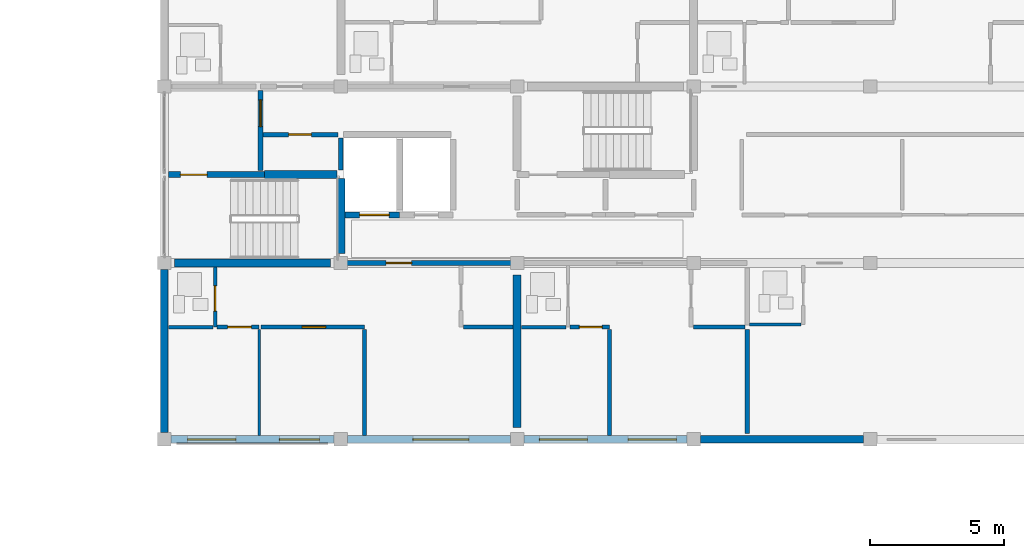
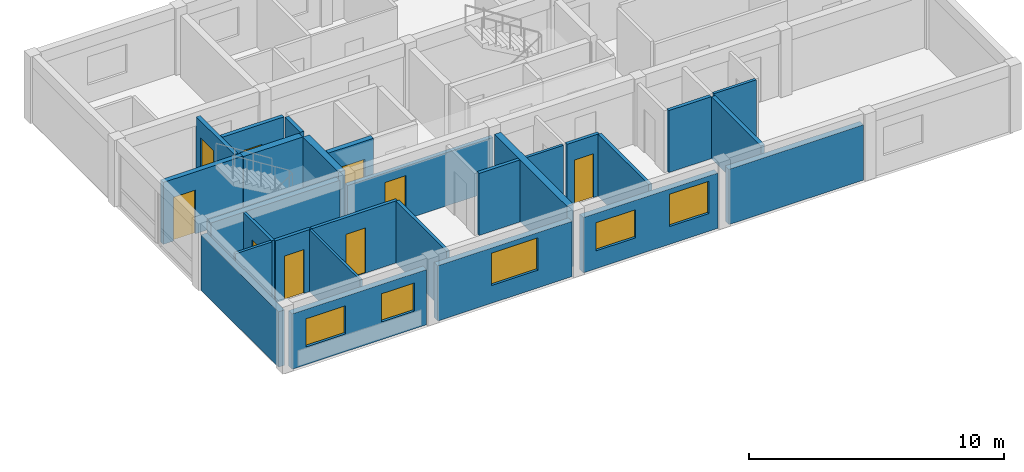
# One storey, part 34 of 46: 28 walls, 9 doors, 5 windows, 14 openings.
"""IFC4 building model written with IfcOpenShell, lengths in metres."""

from ifc_helpers import new_model, si_unit, direction, frame, frame_2d, origin, place, context, subcontext, project, spatial, rectangle, extrude, material, layer, layer_set, type_object, element, fill, save


model = new_model("IFC4")

# Units and contexts
model_context = context("Model", 3, precision=1e-05, world=origin(), true_north=direction((0.0, 1.0)))
body_context = subcontext(model_context, "Body", "Model", "MODEL_VIEW")
ifc_project = project(units=[si_unit("LENGTHUNIT", "METRE"), si_unit("AREAUNIT", "SQUARE_METRE"), si_unit("VOLUMEUNIT", "CUBIC_METRE"), si_unit("PLANEANGLEUNIT", "RADIAN"), si_unit("MASSUNIT", "GRAM", prefix="KILO")], contexts=[model_context])

# Site, building, storey
site_placement = place(None, origin())
site = spatial("IfcSite", under=ifc_project, at=site_placement, CompositionType="ELEMENT")
building_placement = place(site_placement, origin())
building = spatial("IfcBuilding", under=site, at=building_placement, Name="Kernevlak Ridge Housing Community", CompositionType="ELEMENT")
storey_placement = place(building_placement, frame((0.0, 0.0, 27.60009765625)))
storey = spatial("IfcBuildingStorey", under=building, at=storey_placement, Name="L08", CompositionType="ELEMENT", Elevation=27.60009765625)

# Wall, openings, windows
ifc_material_1 = material(Name="Concrete block masonry M10", Category="masonry")
ifc_layer_1 = layer(ifc_material_1, 0.280029296875, Name="Concrete block masonry M10")
ifc_layer_set_1 = layer_set([ifc_layer_1], Name="Concrete block masonry M10")
wall_type_1 = type_object("IfcWallType", Name="EW-03", PredefinedType="STANDARD", material=ifc_layer_set_1)
wall_1_placement = place(storey_placement, frame((119.64990234375, 82.60009765625, 0.0), z_axis=(0.0, 0.0, 1.0), x_axis=(1.0, 0.0, 0.0)))
wall_1 = element("IfcWall", 1, at=wall_1_placement, inside=storey, type_object=wall_type_1, Name="Exterior wall EW-03 L08 419", PredefinedType="STANDARD", context=body_context, shape_type="SweptSolid", body=[
    extrude(rectangle(XDim=6.10009765625, YDim=0.280029296875, at=frame_2d((3.050048828125, 0.0))), origin(), (0.0, 0.0, 1.0), 2.64990234375),
])
opening_1_placement = place(wall_1_placement, frame((0.625, 0.0, 0.85009765625)))
opening_1 = element("IfcOpeningElement", 2, at=opening_1_placement, cuts=wall_1, Name="Opening WT-03", PredefinedType="OPENING", context=body_context, shape_type="SweptSolid", body=[
    extrude(rectangle(XDim=1.800048828125, YDim=1.35009765625, at=frame_2d((0.89990234375, 0.675048828125))), frame((0.0, 0.14990234375, 0.0), z_axis=(0.0, -1.0, 0.0), x_axis=(1.0, 0.0, 0.0)), (0.0, 0.0, 1.0), 0.300048828125),
])
opening_2_placement = place(wall_1_placement, frame((4.050048828125, 0.0, 0.85009765625)))
opening_2 = element("IfcOpeningElement", 3, at=opening_2_placement, cuts=wall_1, Name="Opening WT-02", PredefinedType="OPENING", context=body_context, shape_type="SweptSolid", body=[
    extrude(rectangle(XDim=1.5, YDim=1.35009765625, at=frame_2d((0.75, 0.675048828125))), frame((0.0, 0.14990234375, 0.0), z_axis=(0.0, -1.0, 0.0), x_axis=(1.0, 0.0, 0.0)), (0.0, 0.0, 1.0), 0.300048828125),
])
ifc_material_2 = material(Name="Aluminium EN AW-6060 anodised and laminated glass", Category="aluminium")
window_type_1 = type_object("IfcWindowType", Name="WT-02", PartitioningType="SINGLE_PANEL", PredefinedType="WINDOW", material=ifc_material_2)
window_1_placement = place(opening_2_placement, origin())
window_1 = element("IfcWindow", 4, at=window_1_placement, inside=storey, type_object=window_type_1, Name="Window WT-02 L08 323", OverallHeight=1.35009765625, OverallWidth=1.5, PartitioningType="SINGLE_PANEL", PredefinedType="WINDOW", context=body_context, shape_type="SweptSolid", body=[
    extrude(rectangle(XDim=1.5, YDim=1.35009765625, at=frame_2d((0.75, 0.675048828125))), frame((0.0, 0.030029296875, 0.0), z_axis=(0.0, -1.0, 0.0), x_axis=(1.0, 0.0, 0.0)), (0.0, 0.0, 1.0), 0.06005859375),
])
fill(opening_2, window_1)
window_type_2 = type_object("IfcWindowType", Name="WT-03", PartitioningType="SINGLE_PANEL", PredefinedType="WINDOW", material=ifc_material_2)
window_2_placement = place(opening_1_placement, origin())
window_2 = element("IfcWindow", 5, at=window_2_placement, inside=storey, type_object=window_type_2, Name="Window WT-03 L08 322", OverallHeight=1.35009765625, OverallWidth=1.800048828125, PartitioningType="SINGLE_PANEL", PredefinedType="WINDOW", context=body_context, shape_type="SweptSolid", body=[
    extrude(rectangle(XDim=1.800048828125, YDim=1.35009765625, at=frame_2d((0.89990234375, 0.675048828125))), frame((0.0, 0.030029296875, 0.0), z_axis=(0.0, -1.0, 0.0), x_axis=(1.0, 0.0, 0.0)), (0.0, 0.0, 1.0), 0.06005859375),
])
fill(opening_1, window_2)

# Wall, opening, window
wall_2_placement = place(storey_placement, frame((126.25, 82.60009765625, 0.0), z_axis=(0.0, 0.0, 1.0), x_axis=(1.0, 0.0, 0.0)))
wall_2 = element("IfcWall", 6, at=wall_2_placement, inside=storey, type_object=wall_type_1, Name="Exterior wall EW-03 L08 420", PredefinedType="STANDARD", context=body_context, shape_type="SweptSolid", body=[
    extrude(rectangle(XDim=6.10009765625, YDim=0.280029296875, at=frame_2d((3.050048828125, 0.0))), origin(), (0.0, 0.0, 1.0), 2.64990234375),
])
opening_3_placement = place(wall_2_placement, frame((2.446044921875, 0.0, 0.85009765625)))
opening_3 = element("IfcOpeningElement", 7, at=opening_3_placement, cuts=wall_2, Name="Opening WT-05", PredefinedType="OPENING", context=body_context, shape_type="SweptSolid", body=[
    extrude(rectangle(XDim=2.10009765625, YDim=1.550048828125, at=frame_2d((1.050048828125, 0.77490234375))), frame((0.0, 0.14990234375, 0.0), z_axis=(0.0, -1.0, 0.0), x_axis=(1.0, 0.0, 0.0)), (0.0, 0.0, 1.0), 0.300048828125),
])
window_type_3 = type_object("IfcWindowType", Name="WT-05", PartitioningType="SINGLE_PANEL", PredefinedType="WINDOW", material=ifc_material_2)
window_3_placement = place(opening_3_placement, origin())
window_3 = element("IfcWindow", 8, at=window_3_placement, inside=storey, type_object=window_type_3, Name="Window WT-05 L08 324", OverallHeight=1.550048828125, OverallWidth=2.10009765625, PartitioningType="SINGLE_PANEL", PredefinedType="WINDOW", context=body_context, shape_type="SweptSolid", body=[
    extrude(rectangle(XDim=2.10009765625, YDim=1.550048828125, at=frame_2d((1.050048828125, 0.77490234375))), frame((0.0, 0.030029296875, 0.0), z_axis=(0.0, -1.0, 0.0), x_axis=(1.0, 0.0, 0.0)), (0.0, 0.0, 1.0), 0.06005859375),
])
fill(opening_3, window_3)

# Wall, openings, windows
wall_3_placement = place(storey_placement, frame((132.85009765625, 82.60009765625, 0.0), z_axis=(0.0, 0.0, 1.0), x_axis=(1.0, 0.0, 0.0)))
wall_3 = element("IfcWall", 9, at=wall_3_placement, inside=storey, type_object=wall_type_1, Name="Exterior wall EW-03 L08 421", PredefinedType="STANDARD", context=body_context, shape_type="SweptSolid", body=[
    extrude(rectangle(XDim=6.099853515625, YDim=0.280029296875, at=frame_2d((3.0498046875, 0.0))), origin(), (0.0, 0.0, 1.0), 2.64990234375),
])
opening_4_placement = place(wall_3_placement, frame((0.574951171875, 0.0, 0.85009765625)))
opening_4 = element("IfcOpeningElement", 10, at=opening_4_placement, cuts=wall_3, Name="Opening WT-03", PredefinedType="OPENING", context=body_context, shape_type="SweptSolid", body=[
    extrude(rectangle(XDim=1.800048828125, YDim=1.35009765625, at=frame_2d((0.89990234375, 0.675048828125))), frame((0.0, 0.14990234375, 0.0), z_axis=(0.0, -1.0, 0.0), x_axis=(1.0, 0.0, 0.0)), (0.0, 0.0, 1.0), 0.300048828125),
])
opening_5_placement = place(wall_3_placement, frame((3.89990234375, 0.0, 0.85009765625)))
opening_5 = element("IfcOpeningElement", 11, at=opening_5_placement, cuts=wall_3, Name="Opening WT-04", PredefinedType="OPENING", context=body_context, shape_type="SweptSolid", body=[
    extrude(rectangle(XDim=1.800048828125, YDim=1.550048828125, at=frame_2d((0.89990234375, 0.77490234375))), frame((0.0, 0.14990234375, 0.0), z_axis=(0.0, -1.0, 0.0), x_axis=(1.0, 0.0, 0.0)), (0.0, 0.0, 1.0), 0.300048828125),
])
window_4_placement = place(opening_4_placement, origin())
window_4 = element("IfcWindow", 12, at=window_4_placement, inside=storey, type_object=window_type_2, Name="Window WT-03 L08 325", OverallHeight=1.35009765625, OverallWidth=1.800048828125, PartitioningType="SINGLE_PANEL", PredefinedType="WINDOW", context=body_context, shape_type="SweptSolid", body=[
    extrude(rectangle(XDim=1.800048828125, YDim=1.35009765625, at=frame_2d((0.89990234375, 0.675048828125))), frame((0.0, 0.030029296875, 0.0), z_axis=(0.0, -1.0, 0.0), x_axis=(1.0, 0.0, 0.0)), (0.0, 0.0, 1.0), 0.06005859375),
])
fill(opening_4, window_4)
window_type_4 = type_object("IfcWindowType", Name="WT-04", PartitioningType="SINGLE_PANEL", PredefinedType="WINDOW", material=ifc_material_2)
window_5_placement = place(opening_5_placement, origin())
window_5 = element("IfcWindow", 13, at=window_5_placement, inside=storey, type_object=window_type_4, Name="Window WT-04 L08 326", OverallHeight=1.550048828125, OverallWidth=1.800048828125, PartitioningType="SINGLE_PANEL", PredefinedType="WINDOW", context=body_context, shape_type="SweptSolid", body=[
    extrude(rectangle(XDim=1.800048828125, YDim=1.550048828125, at=frame_2d((0.89990234375, 0.77490234375))), frame((0.0, 0.030029296875, 0.0), z_axis=(0.0, -1.0, 0.0), x_axis=(1.0, 0.0, 0.0)), (0.0, 0.0, 1.0), 0.06005859375),
])
fill(opening_5, window_5)

# Walls
wall_4_placement = place(storey_placement, frame((139.449951171875, 82.60009765625, 0.0), z_axis=(0.0, 0.0, 1.0), x_axis=(1.0, 0.0, 0.0)))
element("IfcWall", 14, at=wall_4_placement, inside=storey, type_object=wall_type_1, Name="Exterior wall EW-03 L08 422", PredefinedType="STANDARD", context=body_context, shape_type="SweptSolid", body=[
    extrude(rectangle(XDim=6.10009765625, YDim=0.280029296875, at=frame_2d((3.050048828125, 0.0))), origin(), (0.0, 0.0, 1.0), 2.64990234375),
])
wall_5_placement = place(storey_placement, frame((119.39990234375, 82.85009765625, 0.0), z_axis=(0.0, 0.0, 1.0), x_axis=(0.0, 1.0, 0.0)))
element("IfcWall", 15, at=wall_5_placement, inside=storey, type_object=wall_type_1, Name="Exterior wall EW-03 L08 431", PredefinedType="STANDARD", context=body_context, shape_type="SweptSolid", body=[
    extrude(rectangle(XDim=6.099853515625, YDim=0.280029296875, at=frame_2d((3.0498046875, 0.0))), origin(), (0.0, 0.0, 1.0), 2.64990234375),
])

# Wall, opening, door
ifc_material_3 = material(Name="Concrete C35/45", Category="concrete")
ifc_layer_2 = layer(ifc_material_3, 0.22509765625, Name="Concrete C35/45")
ifc_layer_set_2 = layer_set([ifc_layer_2], Name="Concrete C35/45")
wall_type_2 = type_object("IfcWallType", Name="PW-01", PredefinedType="STANDARD", material=ifc_layer_set_2)
wall_6_placement = place(storey_placement, frame((119.550048828125, 92.5, 0.0), z_axis=(0.0, 0.0, 1.0), x_axis=(1.0, 0.0, 0.0)))
wall_6 = element("IfcWall", 16, at=wall_6_placement, inside=storey, type_object=wall_type_2, Name="Interior wall PW-01 WAL-INT-L08-1639", PredefinedType="STANDARD", context=body_context, shape_type="SweptSolid", body=[
    extrude(rectangle(XDim=3.599853515625, YDim=0.22509765625, at=frame_2d((1.7998046875, 0.0))), origin(), (0.0, 0.0, 1.0), 2.969970703125),
])
opening_6_placement = place(wall_6_placement, frame((0.449951171875, 0.0, 0.0)))
opening_6 = element("IfcOpeningElement", 17, at=opening_6_placement, cuts=wall_6, Name="Opening D831", PredefinedType="OPENING", context=body_context, shape_type="SweptSolid", body=[
    extrude(rectangle(XDim=1.0, YDim=2.10009765625, at=frame_2d((0.5, 1.050048828125))), frame((0.0, 0.12255859375, 0.0), z_axis=(0.0, -1.0, 0.0), x_axis=(1.0, 0.0, 0.0)), (0.0, 0.0, 1.0), 0.2451171875),
])
ifc_material_4 = material(Name="Fire-rated sheet steel leaf", Category="steel")
door_type_1 = type_object("IfcDoorType", Name="DT-05", OperationType="NOTDEFINED", PredefinedType="DOOR", material=ifc_material_4)
door_1_placement = place(opening_6_placement, origin())
door_1 = element("IfcDoor", 18, at=door_1_placement, inside=storey, type_object=door_type_1, Name="Block B Stair 1 fire door D831", OperationType="SINGLE_SWING_LEFT", OverallHeight=2.10009765625, OverallWidth=1.0, PredefinedType="DOOR", context=body_context, shape_type="SweptSolid", body=[
    extrude(rectangle(XDim=1.0, YDim=2.10009765625, at=frame_2d((0.5, 1.050048828125))), frame((0.0, 0.02490234375, 0.0), z_axis=(0.0, -1.0, 0.0), x_axis=(1.0, 0.0, 0.0)), (0.0, 0.0, 1.0), 0.050048828125),
])
fill(opening_6, door_1)

wall_7_placement = place(storey_placement, frame((126.159912109375, 91.0, 0.0), z_axis=(0.0, 0.0, 1.0), x_axis=(1.0, 0.0, 0.0)))
wall_7 = element("IfcWall", 19, at=wall_7_placement, inside=storey, type_object=wall_type_2, Name="Interior wall PW-01 WAL-INT-L08-1643", PredefinedType="STANDARD", context=body_context, shape_type="SweptSolid", body=[
    extrude(rectangle(XDim=2.0400390625, YDim=0.22509765625, at=frame_2d((1.02001953125, 0.0))), origin(), (0.0, 0.0, 1.0), 2.969970703125),
])
opening_7_placement = place(wall_7_placement, frame((0.550048828125, 0.0, 0.0)))
opening_7 = element("IfcOpeningElement", 20, at=opening_7_placement, cuts=wall_7, Name="Opening LD46", PredefinedType="OPENING", context=body_context, shape_type="SweptSolid", body=[
    extrude(rectangle(XDim=1.10009765625, YDim=2.10009765625, at=frame_2d((0.550048828125, 1.050048828125))), frame((0.0, 0.12255859375, 0.0), z_axis=(0.0, -1.0, 0.0), x_axis=(1.0, 0.0, 0.0)), (0.0, 0.0, 1.0), 0.2451171875),
])
ifc_material_5 = material(Name="Stainless steel EN 1.4401", Category="steel")
door_type_2 = type_object("IfcDoorType", Name="DT-LD1", OperationType="DOUBLE_DOOR_SLIDING", PredefinedType="DOOR", material=ifc_material_5)
door_2_placement = place(opening_7_placement, origin())
door_2 = element("IfcDoor", 21, at=door_2_placement, inside=storey, type_object=door_type_2, Name="Lift LF-B1 landing door LD46", OperationType="DOUBLE_DOOR_SLIDING", OverallHeight=2.10009765625, OverallWidth=1.10009765625, PredefinedType="DOOR", context=body_context, shape_type="SweptSolid", body=[
    extrude(rectangle(XDim=1.10009765625, YDim=2.10009765625, at=frame_2d((0.550048828125, 1.050048828125))), frame((0.0, 0.02490234375, 0.0), z_axis=(0.0, -1.0, 0.0), x_axis=(1.0, 0.0, 0.0)), (0.0, 0.0, 1.0), 0.050048828125),
])
fill(opening_7, door_2)

ifc_layer_3 = layer(ifc_material_1, 0.175048828125, Name="Concrete block masonry M10")
ifc_layer_set_3 = layer_set([ifc_layer_3], Name="Concrete block masonry M10")
wall_type_3 = type_object("IfcWallType", Name="PW-02", PredefinedType="PARTITIONING", material=ifc_layer_set_3)
wall_8_placement = place(storey_placement, frame((123.0, 92.64990234375, 0.0), z_axis=(0.0, 0.0, 1.0), x_axis=(0.0, 1.0, 0.0)))
wall_8 = element("IfcWall", 22, at=wall_8_placement, inside=storey, type_object=wall_type_3, Name="Interior wall PW-02 WAL-INT-L08-1640", PredefinedType="PARTITIONING", context=body_context, shape_type="SweptSolid", body=[
    extrude(rectangle(XDim=3.0, YDim=0.175048828125, at=frame_2d((1.5, 0.0))), origin(), (0.0, 0.0, 1.0), 2.969970703125),
])
opening_8_placement = place(wall_8_placement, frame((1.64990234375, 0.0, 0.0)))
opening_8 = element("IfcOpeningElement", 23, at=opening_8_placement, cuts=wall_8, Name="Opening D832", PredefinedType="OPENING", context=body_context, shape_type="SweptSolid", body=[
    extrude(rectangle(XDim=1.0, YDim=2.159912109375, at=frame_2d((0.5, 1.080078125))), frame((0.0, 0.097412109375, 0.0), z_axis=(0.0, -1.0, 0.0), x_axis=(1.0, 0.0, 0.0)), (0.0, 0.0, 1.0), 0.195068359375),
])
door_type_3 = type_object("IfcDoorType", Name="DT-15", OperationType="NOTDEFINED", PredefinedType="DOOR", material=ifc_material_4)
door_3_placement = place(opening_8_placement, origin())
door_3 = element("IfcDoor", 24, at=door_3_placement, inside=storey, type_object=door_type_3, Name="Block B Firefighting lobby 1 door D832", OperationType="SINGLE_SWING_RIGHT", OverallHeight=2.159912109375, OverallWidth=1.0, PredefinedType="DOOR", context=body_context, shape_type="SweptSolid", body=[
    extrude(rectangle(XDim=1.0, YDim=2.159912109375, at=frame_2d((0.5, 1.080078125))), frame((0.0, 0.02490234375, 0.0), z_axis=(0.0, -1.0, 0.0), x_axis=(1.0, 0.0, 0.0)), (0.0, 0.0, 1.0), 0.050048828125),
])
fill(opening_8, door_3)

wall_9_placement = place(storey_placement, frame((123.10009765625, 94.0, 0.0), z_axis=(0.0, 0.0, 1.0), x_axis=(1.0, 0.0, 0.0)))
wall_9 = element("IfcWall", 25, at=wall_9_placement, inside=storey, type_object=wall_type_3, Name="Interior wall PW-02 WAL-INT-L08-1641", PredefinedType="PARTITIONING", context=body_context, shape_type="SweptSolid", body=[
    extrude(rectangle(XDim=2.7998046875, YDim=0.175048828125, at=frame_2d((1.39990234375, 0.0))), origin(), (0.0, 0.0, 1.0), 2.969970703125),
])
opening_9_placement = place(wall_9_placement, frame((0.949951171875, 0.0, 0.0)))
opening_9 = element("IfcOpeningElement", 26, at=opening_9_placement, cuts=wall_9, Name="Opening D833", PredefinedType="OPENING", context=body_context, shape_type="SweptSolid", body=[
    extrude(rectangle(XDim=0.85009765625, YDim=2.0, at=frame_2d((0.425048828125, 1.0))), frame((0.0, 0.097412109375, 0.0), z_axis=(0.0, -1.0, 0.0), x_axis=(1.0, 0.0, 0.0)), (0.0, 0.0, 1.0), 0.195068359375),
])
door_type_4 = type_object("IfcDoorType", Name="DT-07", OperationType="NOTDEFINED", PredefinedType="DOOR", material=ifc_material_4)
door_4_placement = place(opening_9_placement, origin())
door_4 = element("IfcDoor", 27, at=door_4_placement, inside=storey, type_object=door_type_4, Name="Block B Riser shaft door D833", OperationType="SINGLE_SWING_LEFT", OverallHeight=2.0, OverallWidth=0.85009765625, PredefinedType="DOOR", context=body_context, shape_type="SweptSolid", body=[
    extrude(rectangle(XDim=0.85009765625, YDim=2.0, at=frame_2d((0.425048828125, 1.0))), frame((0.0, 0.02490234375, 0.0), z_axis=(0.0, -1.0, 0.0), x_axis=(1.0, 0.0, 0.0)), (0.0, 0.0, 1.0), 0.050048828125),
])
fill(opening_9, door_4)

# Wall
wall_10_placement = place(storey_placement, frame((126.0, 92.679931640625, 0.0), z_axis=(0.0, 0.0, 1.0), x_axis=(0.0, 1.0, 0.0)))
element("IfcWall", 28, at=wall_10_placement, inside=storey, type_object=wall_type_3, Name="Interior wall PW-02 WAL-INT-L08-1642", PredefinedType="PARTITIONING", context=body_context, shape_type="SweptSolid", body=[
    extrude(rectangle(XDim=1.190185546875, YDim=0.175048828125, at=frame_2d((0.59521484375, 0.0))), origin(), (0.0, 0.0, 1.0), 2.969970703125),
])

# Wall, opening, door
wall_11_placement = place(storey_placement, frame((126.0, 89.199951171875, 0.0), z_axis=(0.0, 0.0, 1.0), x_axis=(1.0, 0.0, 0.0)))
wall_11 = element("IfcWall", 29, at=wall_11_placement, inside=storey, type_object=wall_type_3, Name="Interior wall PW-02 WAL-INT-L08-1660", PredefinedType="PARTITIONING", context=body_context, shape_type="SweptSolid", body=[
    extrude(rectangle(XDim=6.60009765625, YDim=0.175048828125, at=frame_2d((3.300048828125, 0.0))), origin(), (0.0, 0.0, 1.0), 2.5498046875),
])
opening_10_placement = place(wall_11_placement, frame((1.699951171875, 0.0, 0.0)))
opening_10 = element("IfcOpeningElement", 30, at=opening_10_placement, cuts=wall_11, Name="Opening D839", PredefinedType="OPENING", context=body_context, shape_type="SweptSolid", body=[
    extrude(rectangle(XDim=0.949951171875, YDim=2.10009765625, at=frame_2d((0.47509765625, 1.050048828125))), frame((0.0, 0.097412109375, 0.0), z_axis=(0.0, -1.0, 0.0), x_axis=(1.0, 0.0, 0.0)), (0.0, 0.0, 1.0), 0.195068359375),
])
ifc_material_6 = material(Name="Hardwood timber solid-core fire leaf", Category="wood")
door_type_5 = type_object("IfcDoorType", Name="DT-01", OperationType="NOTDEFINED", PredefinedType="DOOR", material=ifc_material_6)
door_5_placement = place(opening_10_placement, origin())
door_5 = element("IfcDoor", 31, at=door_5_placement, inside=storey, type_object=door_type_5, Name="Flat B0811 entrance fire door D839", OperationType="SINGLE_SWING_LEFT", OverallHeight=2.10009765625, OverallWidth=0.949951171875, PredefinedType="DOOR", context=body_context, shape_type="SweptSolid", body=[
    extrude(rectangle(XDim=0.949951171875, YDim=2.10009765625, at=frame_2d((0.47509765625, 1.050048828125))), frame((0.0, 0.02490234375, 0.0), z_axis=(0.0, -1.0, 0.0), x_axis=(1.0, 0.0, 0.0)), (0.0, 0.0, 1.0), 0.050048828125),
])
fill(opening_10, door_5)

# Wall
wall_12_placement = place(storey_placement, frame((141.199951171875, 86.71240234375, 0.0), z_axis=(0.0, 0.0, 1.0), x_axis=(0.0, -1.0, 0.0)))
element("IfcWall", 32, at=wall_12_placement, inside=storey, type_object=wall_type_3, Name="Interior wall PW-02 WAL-INT-L08-1676-S2", PredefinedType="PARTITIONING", context=body_context, shape_type="SweptSolid", body=[
    extrude(rectangle(XDim=3.88232421875, YDim=0.175048828125, at=frame_2d((1.941162109375, 0.0))), origin(), (0.0, 0.0, 1.0), 2.969970703125),
])

# Wall, opening, door
ifc_layer_4 = layer(ifc_material_1, 0.14501953125, Name="Concrete block masonry M10")
ifc_layer_set_4 = layer_set([ifc_layer_4], Name="Concrete block masonry M10")
wall_type_4 = type_object("IfcWallType", Name="PW-03", PredefinedType="PARTITIONING", material=ifc_layer_set_4)
wall_13_placement = place(storey_placement, frame((121.37255859375, 86.800048828125, 0.0), z_axis=(0.0, 0.0, 1.0), x_axis=(1.0, 0.0, 0.0)))
wall_13 = element("IfcWall", 33, at=wall_13_placement, inside=storey, type_object=wall_type_4, Name="Interior wall PW-03 WAL-INT-L08-1665", PredefinedType="PARTITIONING", context=body_context, shape_type="SweptSolid", body=[
    extrude(rectangle(XDim=1.577392578125, YDim=0.14501953125, at=frame_2d((0.78857421875, 0.0))), origin(), (0.0, 0.0, 1.0), 2.969970703125),
])
opening_11_placement = place(wall_13_placement, frame((0.39990234375, 0.0, 0.0)))
opening_11 = element("IfcOpeningElement", 34, at=opening_11_placement, cuts=wall_13, Name="Opening D842", PredefinedType="OPENING", context=body_context, shape_type="SweptSolid", body=[
    extrude(rectangle(XDim=0.8798828125, YDim=2.10009765625, at=frame_2d((0.43994140625, 1.050048828125))), frame((0.0, 0.08251953125, 0.0), z_axis=(0.0, -1.0, 0.0), x_axis=(1.0, 0.0, 0.0)), (0.0, 0.0, 1.0), 0.1650390625),
])
ifc_material_7 = material(Name="Hardwood timber leaf", Category="wood")
door_type_6 = type_object("IfcDoorType", Name="DT-25", OperationType="NOTDEFINED", PredefinedType="DOOR", material=ifc_material_7)
door_6_placement = place(opening_11_placement, origin())
door_6 = element("IfcDoor", 35, at=door_6_placement, inside=storey, type_object=door_type_6, Name="Flat B0811 bedroom door D842", OperationType="SINGLE_SWING_RIGHT", OverallHeight=2.10009765625, OverallWidth=0.8798828125, PredefinedType="DOOR", context=body_context, shape_type="SweptSolid", body=[
    extrude(rectangle(XDim=0.8798828125, YDim=2.10009765625, at=frame_2d((0.43994140625, 1.050048828125))), frame((0.0, 0.02490234375, 0.0), z_axis=(0.0, -1.0, 0.0), x_axis=(1.0, 0.0, 0.0)), (0.0, 0.0, 1.0), 0.050048828125),
])
fill(opening_11, door_6)

wall_14_placement = place(storey_placement, frame((123.012451171875, 86.800048828125, 0.0), z_axis=(0.0, 0.0, 1.0), x_axis=(1.0, 0.0, 0.0)))
wall_14 = element("IfcWall", 36, at=wall_14_placement, inside=storey, type_object=wall_type_4, Name="Interior wall PW-03 WAL-INT-L08-1667", PredefinedType="PARTITIONING", context=body_context, shape_type="SweptSolid", body=[
    extrude(rectangle(XDim=3.879638671875, YDim=0.14501953125, at=frame_2d((1.93994140625, 0.0))), origin(), (0.0, 0.0, 1.0), 2.969970703125),
])
opening_12_placement = place(wall_14_placement, frame((1.5458984375, 0.0, 0.0)))
opening_12 = element("IfcOpeningElement", 37, at=opening_12_placement, cuts=wall_14, Name="Opening D843", PredefinedType="OPENING", context=body_context, shape_type="SweptSolid", body=[
    extrude(rectangle(XDim=0.8798828125, YDim=2.159912109375, at=frame_2d((0.43994140625, 1.080078125))), frame((0.0, 0.08251953125, 0.0), z_axis=(0.0, -1.0, 0.0), x_axis=(1.0, 0.0, 0.0)), (0.0, 0.0, 1.0), 0.1650390625),
])
door_type_7 = type_object("IfcDoorType", Name="DT-26", OperationType="NOTDEFINED", PredefinedType="DOOR", material=ifc_material_7)
door_7_placement = place(opening_12_placement, origin())
door_7 = element("IfcDoor", 38, at=door_7_placement, inside=storey, type_object=door_type_7, Name="Flat B0811 bedroom door D843", OperationType="SINGLE_SWING_LEFT", OverallHeight=2.159912109375, OverallWidth=0.8798828125, PredefinedType="DOOR", context=body_context, shape_type="SweptSolid", body=[
    extrude(rectangle(XDim=0.8798828125, YDim=2.159912109375, at=frame_2d((0.43994140625, 1.080078125))), frame((0.0, 0.02490234375, 0.0), z_axis=(0.0, -1.0, 0.0), x_axis=(1.0, 0.0, 0.0)), (0.0, 0.0, 1.0), 0.050048828125),
])
fill(opening_12, door_7)

# Wall
wall_15_placement = place(storey_placement, frame((126.89208984375, 86.717529296875, 0.0), z_axis=(0.0, 0.0, 1.0), x_axis=(0.0, -1.0, 0.0)))
element("IfcWall", 39, at=wall_15_placement, inside=storey, type_object=wall_type_4, Name="Interior wall PW-03 WAL-INT-L08-1668", PredefinedType="PARTITIONING", context=body_context, shape_type="SweptSolid", body=[
    extrude(rectangle(XDim=3.967529296875, YDim=0.14501953125, at=frame_2d((1.98388671875, 0.0))), origin(), (0.0, 0.0, 1.0), 2.969970703125),
])

# Wall, opening, door
wall_16_placement = place(storey_placement, frame((134.572509765625, 86.800048828125, 0.0), z_axis=(0.0, 0.0, 1.0), x_axis=(1.0, 0.0, 0.0)))
wall_16 = element("IfcWall", 40, at=wall_16_placement, inside=storey, type_object=wall_type_4, Name="Interior wall PW-03 WAL-INT-L08-1674", PredefinedType="PARTITIONING", context=body_context, shape_type="SweptSolid", body=[
    extrude(rectangle(XDim=1.4775390625, YDim=0.14501953125, at=frame_2d((0.73876953125, 0.0))), origin(), (0.0, 0.0, 1.0), 2.969970703125),
])
opening_13_placement = place(wall_16_placement, frame((0.35009765625, 0.0, 0.0)))
opening_13 = element("IfcOpeningElement", 41, at=opening_13_placement, cuts=wall_16, Name="Opening D847", PredefinedType="OPENING", context=body_context, shape_type="SweptSolid", body=[
    extrude(rectangle(XDim=0.85009765625, YDim=2.10009765625, at=frame_2d((0.425048828125, 1.050048828125))), frame((0.0, 0.08251953125, 0.0), z_axis=(0.0, -1.0, 0.0), x_axis=(1.0, 0.0, 0.0)), (0.0, 0.0, 1.0), 0.1650390625),
])
door_type_8 = type_object("IfcDoorType", Name="DT-03", OperationType="NOTDEFINED", PredefinedType="DOOR", material=ifc_material_7)
door_8_placement = place(opening_13_placement, origin())
door_8 = element("IfcDoor", 42, at=door_8_placement, inside=storey, type_object=door_type_8, Name="Flat B0812 bedroom door D847", OperationType="SINGLE_SWING_LEFT", OverallHeight=2.10009765625, OverallWidth=0.85009765625, PredefinedType="DOOR", context=body_context, shape_type="SweptSolid", body=[
    extrude(rectangle(XDim=0.85009765625, YDim=2.10009765625, at=frame_2d((0.425048828125, 1.050048828125))), frame((0.0, 0.02490234375, 0.0), z_axis=(0.0, -1.0, 0.0), x_axis=(1.0, 0.0, 0.0)), (0.0, 0.0, 1.0), 0.050048828125),
])
fill(opening_13, door_8)

# Wall
wall_17_placement = place(storey_placement, frame((136.050048828125, 86.717529296875, 0.0), z_axis=(0.0, 0.0, 1.0), x_axis=(0.0, -1.0, 0.0)))
element("IfcWall", 43, at=wall_17_placement, inside=storey, type_object=wall_type_4, Name="Interior wall PW-03 WAL-INT-L08-1675", PredefinedType="PARTITIONING", context=body_context, shape_type="SweptSolid", body=[
    extrude(rectangle(XDim=3.967529296875, YDim=0.14501953125, at=frame_2d((1.98388671875, 0.0))), origin(), (0.0, 0.0, 1.0), 2.969970703125),
])

# Wall, opening, door
ifc_material_8 = material(Name="Gypsum plasterboard EN 520", Category="gypsum")
ifc_layer_5 = layer(ifc_material_8, 0.125, Name="Gypsum plasterboard EN 520")
ifc_layer_set_5 = layer_set([ifc_layer_5], Name="Gypsum plasterboard EN 520")
wall_type_5 = type_object("IfcWallType", Name="PW-04", PredefinedType="PARTITIONING", material=ifc_layer_set_5)
wall_18_placement = place(storey_placement, frame((121.300048828125, 89.0400390625, 0.0), z_axis=(0.0, 0.0, 1.0), x_axis=(0.0, -1.0, 0.0)))
wall_18 = element("IfcWall", 44, at=wall_18_placement, inside=storey, type_object=wall_type_5, Name="Interior wall PW-04 WAL-INT-L08-1661", PredefinedType="PARTITIONING", context=body_context, shape_type="SweptSolid", body=[
    extrude(rectangle(XDim=2.239990234375, YDim=0.125, at=frame_2d((1.1201171875, 0.0))), origin(), (0.0, 0.0, 1.0), 2.969970703125),
])
opening_14_placement = place(wall_18_placement, frame((0.699951171875, 0.0, 0.0)))
opening_14 = element("IfcOpeningElement", 45, at=opening_14_placement, cuts=wall_18, Name="Opening D840", PredefinedType="OPENING", context=body_context, shape_type="SweptSolid", body=[
    extrude(rectangle(XDim=0.93994140625, YDim=2.080078125, at=frame_2d((0.469970703125, 1.0400390625))), frame((0.0, 0.072509765625, 0.0), z_axis=(0.0, -1.0, 0.0), x_axis=(1.0, 0.0, 0.0)), (0.0, 0.0, 1.0), 0.14501953125),
])
ifc_material_9 = material(Name="Hardwood timber moisture-resistant leaf", Category="wood")
door_type_9 = type_object("IfcDoorType", Name="DT-23", OperationType="NOTDEFINED", PredefinedType="DOOR", material=ifc_material_9)
door_9_placement = place(opening_14_placement, origin())
door_9 = element("IfcDoor", 46, at=door_9_placement, inside=storey, type_object=door_type_9, Name="Flat B0811 bathroom door D840", OperationType="SINGLE_SWING_RIGHT", OverallHeight=2.080078125, OverallWidth=0.93994140625, PredefinedType="DOOR", context=body_context, shape_type="SweptSolid", body=[
    extrude(rectangle(XDim=0.93994140625, YDim=2.080078125, at=frame_2d((0.469970703125, 1.0400390625))), frame((0.0, 0.02490234375, 0.0), z_axis=(0.0, -1.0, 0.0), x_axis=(1.0, 0.0, 0.0)), (0.0, 0.0, 1.0), 0.050048828125),
])
fill(opening_14, door_9)

# Walls
wall_19_placement = place(storey_placement, frame((119.550048828125, 86.800048828125, 0.0), z_axis=(0.0, 0.0, 1.0), x_axis=(1.0, 0.0, 0.0)))
element("IfcWall", 47, at=wall_19_placement, inside=storey, type_object=wall_type_5, Name="Interior wall PW-04 WAL-INT-L08-1662", PredefinedType="PARTITIONING", context=body_context, shape_type="SweptSolid", body=[
    extrude(rectangle(XDim=1.669921875, YDim=0.125, at=frame_2d((0.8349609375, 0.0))), origin(), (0.0, 0.0, 1.0), 2.969970703125),
])
wall_20_placement = place(storey_placement, frame((132.760009765625, 86.800048828125, 0.0), z_axis=(0.0, 0.0, 1.0), x_axis=(1.0, 0.0, 0.0)))
element("IfcWall", 48, at=wall_20_placement, inside=storey, type_object=wall_type_5, Name="Interior wall PW-04 WAL-INT-L08-1671", PredefinedType="PARTITIONING", context=body_context, shape_type="SweptSolid", body=[
    extrude(rectangle(XDim=1.659912109375, YDim=0.125, at=frame_2d((0.830078125, 0.0))), origin(), (0.0, 0.0, 1.0), 2.969970703125),
])
wall_21_placement = place(storey_placement, frame((141.297607421875, 86.89990234375, 0.0), z_axis=(0.0, 0.0, 1.0), x_axis=(1.0, 0.0, 0.0)))
element("IfcWall", 49, at=wall_21_placement, inside=storey, type_object=wall_type_5, Name="Interior wall PW-04 WAL-INT-L08-1679", PredefinedType="PARTITIONING", context=body_context, shape_type="SweptSolid", body=[
    extrude(rectangle(XDim=1.92236328125, YDim=0.125, at=frame_2d((0.961181640625, 0.0))), origin(), (0.0, 0.0, 1.0), 2.969970703125),
])
ifc_layer_6 = layer(ifc_material_8, 0.155029296875, Name="Gypsum plasterboard EN 520")
ifc_layer_set_6 = layer_set([ifc_layer_6], Name="Gypsum plasterboard EN 520")
wall_type_6 = type_object("IfcWallType", Name="PW-05", PredefinedType="PARTITIONING", material=ifc_layer_set_6)
wall_22_placement = place(storey_placement, frame((130.58740234375, 86.800048828125, 0.0), z_axis=(0.0, 0.0, 1.0), x_axis=(1.0, 0.0, 0.0)))
element("IfcWall", 50, at=wall_22_placement, inside=storey, type_object=wall_type_6, Name="Interior wall PW-05 WAL-INT-L08-1664", PredefinedType="PARTITIONING", context=body_context, shape_type="SweptSolid", body=[
    extrude(rectangle(XDim=1.8525390625, YDim=0.155029296875, at=frame_2d((0.92626953125, 0.0))), origin(), (0.0, 0.0, 1.0), 2.969970703125),
])
wall_23_placement = place(storey_placement, frame((139.1875, 86.800048828125, 0.0), z_axis=(0.0, 0.0, 1.0), x_axis=(1.0, 0.0, 0.0)))
element("IfcWall", 51, at=wall_23_placement, inside=storey, type_object=wall_type_6, Name="Interior wall PW-05 WAL-INT-L08-1673", PredefinedType="PARTITIONING", context=body_context, shape_type="SweptSolid", body=[
    extrude(rectangle(XDim=1.9326171875, YDim=0.155029296875, at=frame_2d((0.96630859375, 0.0))), origin(), (0.0, 0.0, 1.0), 2.969970703125),
])
ifc_layer_7 = layer(ifc_material_8, 0.10498046875, Name="Gypsum plasterboard EN 520")
ifc_layer_set_7 = layer_set([ifc_layer_7], Name="Gypsum plasterboard EN 520")
wall_type_7 = type_object("IfcWallType", Name="PW-06", PredefinedType="PARTITIONING", material=ifc_layer_set_7)
wall_24_placement = place(storey_placement, frame((122.949951171875, 86.717529296875, 0.0), z_axis=(0.0, 0.0, 1.0), x_axis=(0.0, -1.0, 0.0)))
element("IfcWall", 52, at=wall_24_placement, inside=storey, type_object=wall_type_7, Name="Interior wall PW-06 WAL-INT-L08-1666", PredefinedType="PARTITIONING", context=body_context, shape_type="SweptSolid", body=[
    extrude(rectangle(XDim=3.967529296875, YDim=0.10498046875, at=frame_2d((1.98388671875, 0.0))), origin(), (0.0, 0.0, 1.0), 2.969970703125),
])
ifc_material_10 = material(Name="Concrete C40/50", Category="concrete")
ifc_layer_8 = layer(ifc_material_10, 0.300048828125, Name="Concrete C40/50")
ifc_layer_set_8 = layer_set([ifc_layer_8], Name="Concrete C40/50")
wall_type_8 = type_object("IfcWallType", Name="SW-02", PredefinedType="SHEAR", material=ifc_layer_set_8)
wall_25_placement = place(storey_placement, frame((119.780029296875, 89.199951171875, 0.0), z_axis=(0.0, 0.0, 1.0), x_axis=(1.0, 0.0, 0.0)))
element("IfcWall", 53, at=wall_25_placement, inside=storey, type_object=wall_type_8, Name="Shear wall SW-02 Block B L08 291", PredefinedType="SHEAR", context=body_context, shape_type="SweptSolid", body=[
    extrude(rectangle(XDim=5.840087890625, YDim=0.300048828125, at=frame_2d((2.919921875, 0.0))), origin(), (0.0, 0.0, 1.0), 2.969970703125),
])
wall_26_placement = place(storey_placement, frame((123.14990234375, 92.5, 0.0), z_axis=(0.0, 0.0, 1.0), x_axis=(1.0, 0.0, 0.0)))
element("IfcWall", 54, at=wall_26_placement, inside=storey, type_object=wall_type_8, Name="Shear wall SW-02 Block B L08 292", PredefinedType="SHEAR", context=body_context, shape_type="SweptSolid", body=[
    extrude(rectangle(XDim=2.7001953125, YDim=0.300048828125, at=frame_2d((1.35009765625, 0.0))), origin(), (0.0, 0.0, 1.0), 2.969970703125),
])
wall_27_placement = place(storey_placement, frame((126.0, 89.550048828125, 0.0), z_axis=(0.0, 0.0, 1.0), x_axis=(0.0, 1.0, 0.0)))
element("IfcWall", 55, at=wall_27_placement, inside=storey, type_object=wall_type_8, Name="Shear wall SW-02 Block B L08 293", PredefinedType="SHEAR", context=body_context, shape_type="SweptSolid", body=[
    extrude(rectangle(XDim=2.800048828125, YDim=0.300048828125, at=frame_2d((1.39990234375, 0.0))), origin(), (0.0, 0.0, 1.0), 2.969970703125),
])
wall_28_placement = place(storey_placement, frame((132.60009765625, 83.050048828125, 0.0), z_axis=(0.0, 0.0, 1.0), x_axis=(0.0, 1.0, 0.0)))
element("IfcWall", 56, at=wall_28_placement, inside=storey, type_object=wall_type_8, Name="Shear wall SW-02 Block B L08 298", PredefinedType="SHEAR", context=body_context, shape_type="SweptSolid", body=[
    extrude(rectangle(XDim=5.699951171875, YDim=0.300048828125, at=frame_2d((2.85009765625, 0.0))), origin(), (0.0, 0.0, 1.0), 2.969970703125),
])

save(model, "model.ifc")
